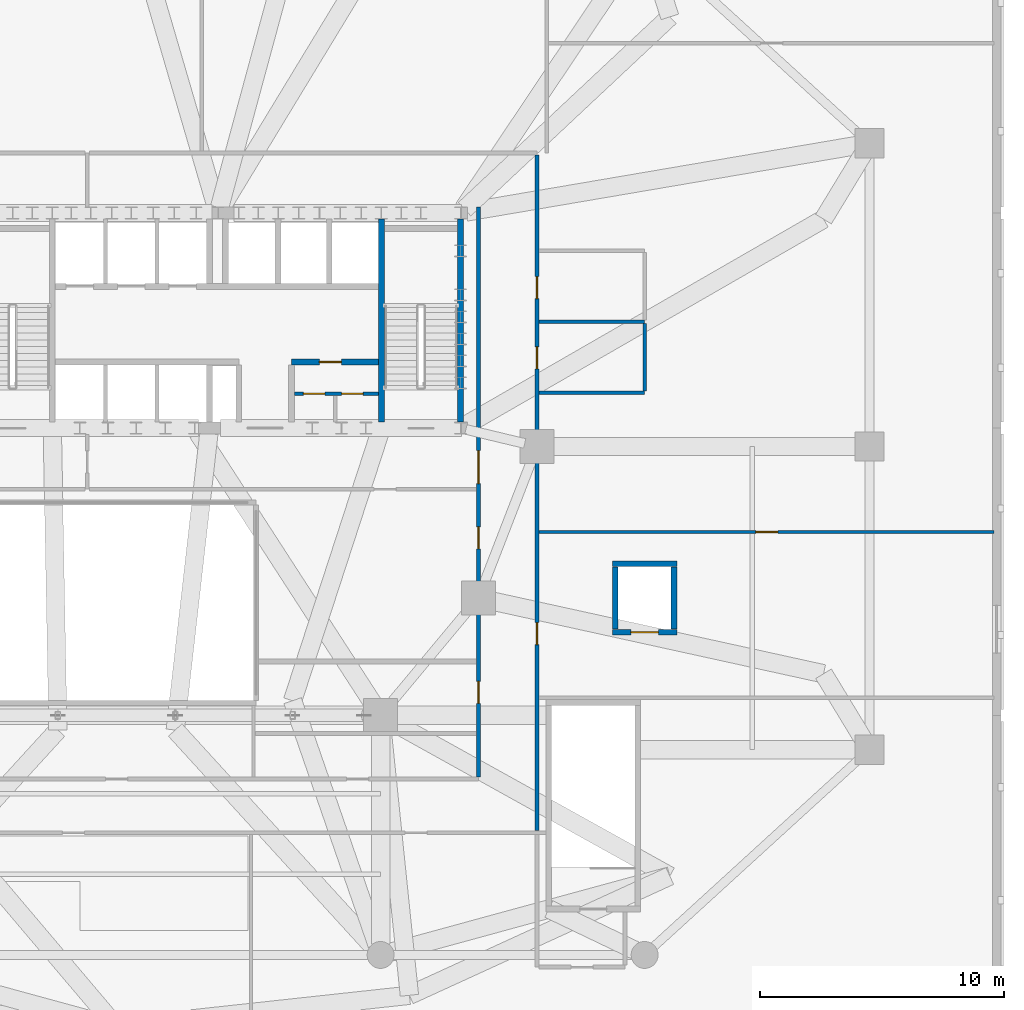
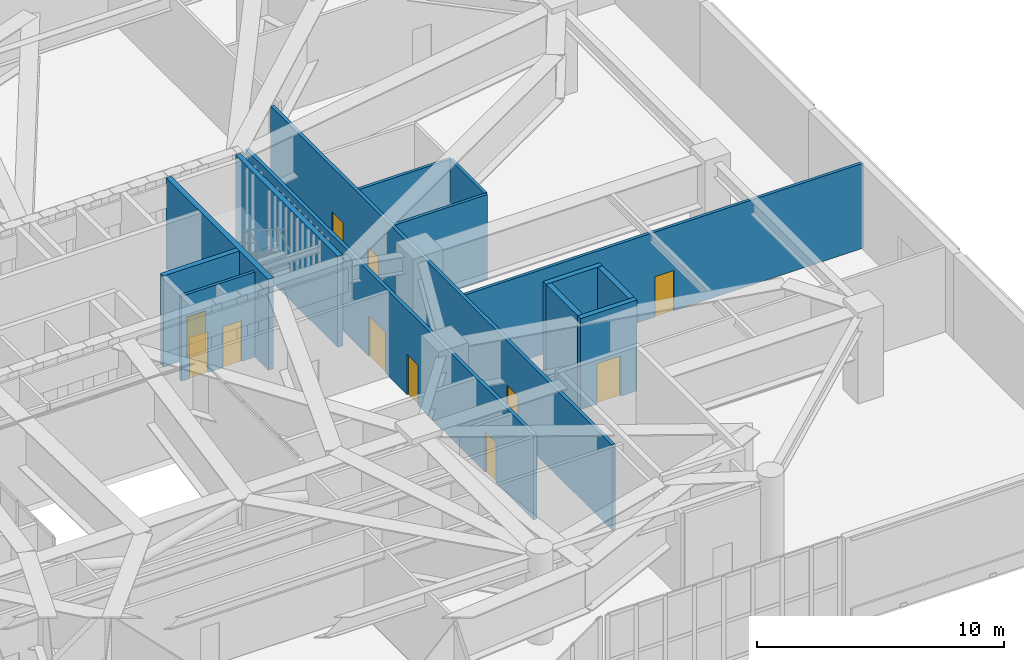
# One storey, part 17 of 26: 14 walls, 11 doors, 11 openings.
"""IFC4 building model written with IfcOpenShell, lengths in metres."""

from ifc_helpers import new_model, si_unit, direction, frame, frame_2d, origin, place, context, subcontext, project, spatial, rectangle, extrude, material, layer, layer_set, type_object, element, fill, save


model = new_model("IFC4")

# Units and contexts
model_context = context("Model", 3, precision=1e-05, world=origin(), true_north=direction((0.0, 1.0)))
body_context = subcontext(model_context, "Body", "Model", "MODEL_VIEW")
ifc_project = project(units=[si_unit("LENGTHUNIT", "METRE"), si_unit("AREAUNIT", "SQUARE_METRE"), si_unit("VOLUMEUNIT", "CUBIC_METRE"), si_unit("PLANEANGLEUNIT", "RADIAN"), si_unit("MASSUNIT", "GRAM", prefix="KILO")], contexts=[model_context])

# Site, building, storey
site_placement = place(None, origin())
site = spatial("IfcSite", under=ifc_project, at=site_placement, CompositionType="ELEMENT")
building_placement = place(site_placement, origin())
building = spatial("IfcBuilding", under=site, at=building_placement, Name="Haldorwick Loom Tower", CompositionType="ELEMENT")
storey_placement = place(building_placement, frame((0.0, 0.0, 19.5)))
storey = spatial("IfcBuildingStorey", under=building, at=storey_placement, Name="L04", CompositionType="ELEMENT", Elevation=19.5)

# Wall, openings, doors
ifc_material_1 = material(Name="Fire-Rated Type X Gypsum Stud Assembly EI 60")
ifc_layer_1 = layer(ifc_material_1, 0.159912109375, Name="Fire-Rated Type X Gypsum Stud Assembly EI 60")
ifc_layer_set_1 = layer_set([ifc_layer_1], Name="Fire-Rated Type X Gypsum Stud Assembly EI 60")
wall_type_1 = type_object("IfcWallType", Name="ARC-WL-FIRE160", PredefinedType="PARTITIONING", material=ifc_layer_set_1)
wall_1_placement = place(storey_placement, frame((53.199951171875, 10.282958984375, 0.0), z_axis=(0.0, 0.0, 1.0), x_axis=(0.0, 1.0, 0.0)))
wall_1 = element("IfcWall", 1, at=wall_1_placement, inside=storey, type_object=wall_type_1, Name="L04 Podium Partition L04-CE0", PredefinedType="PARTITIONING", context=body_context, shape_type="SweptSolid", body=[
    extrude(rectangle(XDim=27.634033203125, YDim=0.159912109375, at=frame_2d((13.81689453125, 0.0))), origin(), (0.0, 0.0, 1.0), 4.205078125),
])
opening_1_placement = place(wall_1_placement, frame((7.611572265625, 0.0, 0.0)))
opening_1 = element("IfcOpeningElement", 2, at=opening_1_placement, cuts=wall_1, Name="Opening D-FD60A", PredefinedType="OPENING", context=body_context, shape_type="SweptSolid", body=[
    extrude(rectangle(XDim=0.89990234375, YDim=2.0, at=frame_2d((0.449951171875, 1.0))), frame((0.0, 0.08984375, 0.0), z_axis=(0.0, -1.0, 0.0), x_axis=(1.0, 0.0, 0.0)), (0.0, 0.0, 1.0), 0.179931640625),
])
opening_2_placement = place(wall_1_placement, frame((18.893798828125, 0.0, 0.0)))
opening_2 = element("IfcOpeningElement", 3, at=opening_2_placement, cuts=wall_1, Name="Opening D-FD60A", PredefinedType="OPENING", context=body_context, shape_type="SweptSolid", body=[
    extrude(rectangle(XDim=0.89990234375, YDim=2.0, at=frame_2d((0.449951171875, 1.0))), frame((0.0, 0.08984375, 0.0), z_axis=(0.0, -1.0, 0.0), x_axis=(1.0, 0.0, 0.0)), (0.0, 0.0, 1.0), 0.179931640625),
])
opening_3_placement = place(wall_1_placement, frame((21.767578125, 0.0, 0.0)))
opening_3 = element("IfcOpeningElement", 4, at=opening_3_placement, cuts=wall_1, Name="Opening D-FD60A", PredefinedType="OPENING", context=body_context, shape_type="SweptSolid", body=[
    extrude(rectangle(XDim=0.89990234375, YDim=2.0, at=frame_2d((0.449951171875, 1.0))), frame((0.0, 0.08984375, 0.0), z_axis=(0.0, -1.0, 0.0), x_axis=(1.0, 0.0, 0.0)), (0.0, 0.0, 1.0), 0.179931640625),
])
ifc_material_2 = material(Name="Hollow Steel Fire Door Assembly", Category="steel")
door_type_1 = type_object("IfcDoorType", Name="ARC-DR-FD60-90", OperationType="NOTDEFINED", PredefinedType="DOOR", material=ifc_material_2)
door_1_placement = place(opening_1_placement, origin())
door_1 = element("IfcDoor", 5, at=door_1_placement, inside=storey, type_object=door_type_1, Name="L04 L04 South Clinic Corridor to Board Conference Room 11 Door", OperationType="SINGLE_SWING_RIGHT", OverallHeight=2.0, OverallWidth=0.89990234375, PredefinedType="DOOR", context=body_context, shape_type="SweptSolid", body=[
    extrude(rectangle(XDim=0.89990234375, YDim=2.0, at=frame_2d((0.449951171875, 1.0))), frame((0.0, 0.02490234375, 0.0), z_axis=(0.0, -1.0, 0.0), x_axis=(1.0, 0.0, 0.0)), (0.0, 0.0, 1.0), 0.050048828125),
])
fill(opening_1, door_1)
door_2_placement = place(opening_2_placement, origin())
door_2 = element("IfcDoor", 6, at=door_2_placement, inside=storey, type_object=door_type_1, Name="L04 L04 South Clinic Corridor to Public Washroom Door", OperationType="SINGLE_SWING_LEFT", OverallHeight=2.0, OverallWidth=0.89990234375, PredefinedType="DOOR", context=body_context, shape_type="SweptSolid", body=[
    extrude(rectangle(XDim=0.89990234375, YDim=2.0, at=frame_2d((0.449951171875, 1.0))), frame((0.0, 0.02490234375, 0.0), z_axis=(0.0, -1.0, 0.0), x_axis=(1.0, 0.0, 0.0)), (0.0, 0.0, 1.0), 0.050048828125),
])
fill(opening_2, door_2)
door_3_placement = place(opening_3_placement, origin())
door_3 = element("IfcDoor", 7, at=door_3_placement, inside=storey, type_object=door_type_1, Name="L04 L04 South Clinic Corridor to Accessible WC Door", OperationType="SINGLE_SWING_RIGHT", OverallHeight=2.0, OverallWidth=0.89990234375, PredefinedType="DOOR", context=body_context, shape_type="SweptSolid", body=[
    extrude(rectangle(XDim=0.89990234375, YDim=2.0, at=frame_2d((0.449951171875, 1.0))), frame((0.0, 0.02490234375, 0.0), z_axis=(0.0, -1.0, 0.0), x_axis=(1.0, 0.0, 0.0)), (0.0, 0.0, 1.0), 0.050048828125),
])
fill(opening_3, door_3)

wall_2_placement = place(storey_placement, frame((50.800048828125, 12.48291015625, 0.0), z_axis=(0.0, 0.0, 1.0), x_axis=(0.0, 1.0, 0.0)))
wall_2 = element("IfcWall", 8, at=wall_2_placement, inside=storey, type_object=wall_type_1, Name="L04 Podium Partition L04-CE1", PredefinedType="PARTITIONING", context=body_context, shape_type="SweptSolid", body=[
    extrude(rectangle(XDim=23.317138671875, YDim=0.159912109375, at=frame_2d((11.65869140625, 0.0))), origin(), (0.0, 0.0, 1.0), 4.205078125),
])
opening_4_placement = place(wall_2_placement, frame((11.99169921875, 0.0, 0.0)))
opening_4 = element("IfcOpeningElement", 9, at=opening_4_placement, cuts=wall_2, Name="Opening D-CR15", PredefinedType="OPENING", context=body_context, shape_type="SweptSolid", body=[
    extrude(rectangle(XDim=1.35009765625, YDim=2.0, at=frame_2d((0.675048828125, 1.0))), frame((0.0, 0.08984375, 0.0), z_axis=(0.0, -1.0, 0.0), x_axis=(1.0, 0.0, 0.0)), (0.0, 0.0, 1.0), 0.179931640625),
])
opening_5_placement = place(wall_2_placement, frame((9.326904296875, 0.0, 0.0)))
opening_5 = element("IfcOpeningElement", 10, at=opening_5_placement, cuts=wall_2, Name="Opening D-FD60A", PredefinedType="OPENING", context=body_context, shape_type="SweptSolid", body=[
    extrude(rectangle(XDim=0.89990234375, YDim=2.0, at=frame_2d((0.449951171875, 1.0))), frame((0.0, 0.08984375, 0.0), z_axis=(0.0, -1.0, 0.0), x_axis=(1.0, 0.0, 0.0)), (0.0, 0.0, 1.0), 0.179931640625),
])
opening_6_placement = place(wall_2_placement, frame((3.0078125, 0.0, 0.0)))
opening_6 = element("IfcOpeningElement", 11, at=opening_6_placement, cuts=wall_2, Name="Opening D-FD60A", PredefinedType="OPENING", context=body_context, shape_type="SweptSolid", body=[
    extrude(rectangle(XDim=0.89990234375, YDim=2.0, at=frame_2d((0.449951171875, 1.0))), frame((0.0, 0.08984375, 0.0), z_axis=(0.0, -1.0, 0.0), x_axis=(1.0, 0.0, 0.0)), (0.0, 0.0, 1.0), 0.179931640625),
])
ifc_material_3 = material(Name="Thermally Broken Anodized Aluminium and Tempered Glass", Category="aluminium")
door_type_2 = type_object("IfcDoorType", Name="ARC-DR-COR150", OperationType="NOTDEFINED", PredefinedType="DOOR", material=ifc_material_3)
door_4_placement = place(opening_4_placement, origin())
door_4 = element("IfcDoor", 12, at=door_4_placement, inside=storey, type_object=door_type_2, Name="L04 L04 East Core Corridor to L04 South Clinic Corridor Door", OperationType="DOUBLE_DOOR_SINGLE_SWING", OverallHeight=2.0, OverallWidth=1.35009765625, PredefinedType="DOOR", context=body_context, shape_type="SweptSolid", body=[
    extrude(rectangle(XDim=1.35009765625, YDim=2.0, at=frame_2d((0.675048828125, 1.0))), frame((0.0, 0.02490234375, 0.0), z_axis=(0.0, -1.0, 0.0), x_axis=(1.0, 0.0, 0.0)), (0.0, 0.0, 1.0), 0.050048828125),
])
fill(opening_4, door_4)
door_5_placement = place(opening_5_placement, origin())
door_5 = element("IfcDoor", 13, at=door_5_placement, inside=storey, type_object=door_type_1, Name="L04 Senior Day Health Hall 13 to L04 South Clinic Corridor Door", OperationType="SINGLE_SWING_RIGHT", OverallHeight=2.0, OverallWidth=0.89990234375, PredefinedType="DOOR", context=body_context, shape_type="SweptSolid", body=[
    extrude(rectangle(XDim=0.89990234375, YDim=2.0, at=frame_2d((0.449951171875, 1.0))), frame((0.0, 0.02490234375, 0.0), z_axis=(0.0, -1.0, 0.0), x_axis=(1.0, 0.0, 0.0)), (0.0, 0.0, 1.0), 0.050048828125),
])
fill(opening_5, door_5)
door_6_placement = place(opening_6_placement, origin())
door_6 = element("IfcDoor", 14, at=door_6_placement, inside=storey, type_object=door_type_1, Name="L04 Transfer Girder Mechanical Plant 10 to L04 South Clinic Corridor Doo", OperationType="SINGLE_SWING_RIGHT", OverallHeight=2.0, OverallWidth=0.89990234375, PredefinedType="DOOR", context=body_context, shape_type="SweptSolid", body=[
    extrude(rectangle(XDim=0.89990234375, YDim=2.0, at=frame_2d((0.449951171875, 1.0))), frame((0.0, 0.02490234375, 0.0), z_axis=(0.0, -1.0, 0.0), x_axis=(1.0, 0.0, 0.0)), (0.0, 0.0, 1.0), 0.050048828125),
])
fill(opening_6, door_6)

ifc_layer_2 = layer(ifc_material_1, 0.139892578125, Name="Fire-Rated Type X Gypsum Stud Assembly EI 60")
ifc_layer_set_2 = layer_set([ifc_layer_2], Name="Fire-Rated Type X Gypsum Stud Assembly EI 60")
wall_type_2 = type_object("IfcWallType", Name="ARC-WL-PART140", PredefinedType="PARTITIONING", material=ifc_layer_set_2)
wall_3_placement = place(storey_placement, frame((43.27294921875, 28.159912109375, 0.0), z_axis=(0.0, 0.0, 1.0), x_axis=(1.0, 0.0, 0.0)))
wall_3 = element("IfcWall", 15, at=wall_3_placement, inside=storey, type_object=wall_type_2, Name="L04 Telecom Partition", PredefinedType="PARTITIONING", context=body_context, shape_type="SweptSolid", body=[
    extrude(rectangle(XDim=3.43408203125, YDim=0.139892578125, at=frame_2d((1.717041015625, 0.0))), origin(), (0.0, 0.0, 1.0), 4.205078125),
])
opening_7_placement = place(wall_3_placement, frame((0.366943359375, 0.0, 0.0)))
opening_7 = element("IfcOpeningElement", 16, at=opening_7_placement, cuts=wall_3, Name="Opening D-BT88", PredefinedType="OPENING", context=body_context, shape_type="SweptSolid", body=[
    extrude(rectangle(XDim=0.8798828125, YDim=2.02001953125, at=frame_2d((0.43994140625, 1.010009765625))), frame((0.0, 0.079833984375, 0.0), z_axis=(0.0, -1.0, 0.0), x_axis=(1.0, 0.0, 0.0)), (0.0, 0.0, 1.0), 0.159912109375),
])
opening_8_placement = place(wall_3_placement, frame((1.93701171875, 0.0, 0.0)))
opening_8 = element("IfcOpeningElement", 17, at=opening_8_placement, cuts=wall_3, Name="Opening D-BT88", PredefinedType="OPENING", context=body_context, shape_type="SweptSolid", body=[
    extrude(rectangle(XDim=0.8798828125, YDim=2.02001953125, at=frame_2d((0.43994140625, 1.010009765625))), frame((0.0, 0.079833984375, 0.0), z_axis=(0.0, -1.0, 0.0), x_axis=(1.0, 0.0, 0.0)), (0.0, 0.0, 1.0), 0.159912109375),
])
ifc_material_4 = material(Name="Solid Core Birch Architectural Door")
door_type_3 = type_object("IfcDoorType", Name="ARC-DR-BATH88", OperationType="NOTDEFINED", PredefinedType="DOOR", material=ifc_material_4)
door_7_placement = place(opening_7_placement, origin())
door_7 = element("IfcDoor", 18, at=door_7_placement, inside=storey, type_object=door_type_3, Name="L04 Telecom Room Door", OperationType="SINGLE_SWING_LEFT", OverallHeight=2.02001953125, OverallWidth=0.8798828125, PredefinedType="DOOR", context=body_context, shape_type="SweptSolid", body=[
    extrude(rectangle(XDim=0.8798828125, YDim=2.02001953125, at=frame_2d((0.43994140625, 1.010009765625))), frame((0.0, 0.02490234375, 0.0), z_axis=(0.0, -1.0, 0.0), x_axis=(1.0, 0.0, 0.0)), (0.0, 0.0, 1.0), 0.050048828125),
])
fill(opening_7, door_7)
door_8_placement = place(opening_8_placement, origin())
door_8 = element("IfcDoor", 19, at=door_8_placement, inside=storey, type_object=door_type_3, Name="L04 Metering Closet Door", OperationType="SINGLE_SWING_RIGHT", OverallHeight=2.02001953125, OverallWidth=0.8798828125, PredefinedType="DOOR", context=body_context, shape_type="SweptSolid", body=[
    extrude(rectangle(XDim=0.8798828125, YDim=2.02001953125, at=frame_2d((0.43994140625, 1.010009765625))), frame((0.0, 0.02490234375, 0.0), z_axis=(0.0, -1.0, 0.0), x_axis=(1.0, 0.0, 0.0)), (0.0, 0.0, 1.0), 0.050048828125),
])
fill(opening_8, door_8)

# Walls
for number, where, z_axis, x_axis, name in (
    (20, (53.282958984375, 28.199951171875, 0.0), (0.0, 0.0, 1.0), (1.0, 0.0, 0.0), "L04 Podium Partition L04-WC1"),
    (21, (53.282958984375, 31.10009765625, 0.0), (0.0, 0.0, 1.0), (1.0, 0.0, 0.0), "L04 Podium Partition L04-WC2"),
):
    element("IfcWall", number, at=place(storey_placement, frame(where, z_axis=z_axis, x_axis=x_axis)), inside=storey, type_object=wall_type_2, Name=name, PredefinedType="PARTITIONING", context=body_context, shape_type="SweptSolid", body=[
        extrude(rectangle(XDim=4.317138671875, YDim=0.139892578125, at=frame_2d((2.15869140625, 0.0))), origin(), (0.0, 0.0, 1.0), 4.205078125),
    ])
wall_4_placement = place(storey_placement, frame((57.60009765625, 28.27294921875, 0.0), z_axis=(0.0, 0.0, 1.0), x_axis=(0.0, 1.0, 0.0)))
element("IfcWall", 22, at=wall_4_placement, inside=storey, type_object=wall_type_2, Name="L04 Podium Partition L04-WC4", PredefinedType="PARTITIONING", context=body_context, shape_type="SweptSolid", body=[
    extrude(rectangle(XDim=2.754150390625, YDim=0.139892578125, at=frame_2d((1.376953125, 0.0))), origin(), (0.0, 0.0, 1.0), 4.205078125),
])

# Wall, opening, door
wall_5_placement = place(storey_placement, frame((53.282958984375, 22.5, 0.0), z_axis=(0.0, 0.0, 1.0), x_axis=(1.0, 0.0, 0.0)))
wall_5 = element("IfcWall", 23, at=wall_5_placement, inside=storey, type_object=wall_type_2, Name="L04 Podium Partition L04-PE-1", PredefinedType="PARTITIONING", context=body_context, shape_type="SweptSolid", body=[
    extrude(rectangle(XDim=18.616943359375, YDim=0.139892578125, at=frame_2d((9.30859375, 0.0))), origin(), (0.0, 0.0, 1.0), 4.205078125),
])
opening_9_placement = place(wall_5_placement, frame((8.868408203125, 0.0, 0.0)))
opening_9 = element("IfcOpeningElement", 24, at=opening_9_placement, cuts=wall_5, Name="Opening D-FD60A", PredefinedType="OPENING", context=body_context, shape_type="SweptSolid", body=[
    extrude(rectangle(XDim=0.89990234375, YDim=2.0, at=frame_2d((0.449951171875, 1.0))), frame((0.0, 0.079833984375, 0.0), z_axis=(0.0, -1.0, 0.0), x_axis=(1.0, 0.0, 0.0)), (0.0, 0.0, 1.0), 0.159912109375),
])
door_9_placement = place(opening_9_placement, frame((0.89990234375, 0.0, 0.0), z_axis=(0.0, 0.0, 1.0), x_axis=(-1.0, 0.0, 0.0)))
door_9 = element("IfcDoor", 25, at=door_9_placement, inside=storey, type_object=door_type_1, Name="L04 Medical Archive Store 20 to Board Conference Room 11 Door", OperationType="SINGLE_SWING_LEFT", OverallHeight=2.0, OverallWidth=0.89990234375, PredefinedType="DOOR", context=body_context, shape_type="SweptSolid", body=[
    extrude(rectangle(XDim=0.89990234375, YDim=2.0, at=frame_2d((0.449951171875, 1.0))), frame((0.0, 0.02490234375, 0.0), z_axis=(0.0, -1.0, 0.0), x_axis=(1.0, 0.0, 0.0)), (0.0, 0.0, 1.0), 0.050048828125),
])
fill(opening_9, door_9)

# Walls
ifc_material_5 = material(Name="Concrete C50 (50 MPa)", Category="concrete")
ifc_layer_3 = layer(ifc_material_5, 0.239990234375, Name="Concrete C50 (50 MPa)", Category="concrete")
ifc_layer_set_3 = layer_set([ifc_layer_3], Name="Concrete C50 (50 MPa)")
wall_type_3 = type_object("IfcWallType", Name="STR-WL-SHAFT240", PredefinedType="SHEAR", material=ifc_layer_set_3)
for number, where, z_axis, x_axis, name in (
    (26, (50.070068359375, 27.0029296875, 0.0), (0.0, 0.0, 1.0), (0.0, 1.0, 0.0), "L04 Core Shear Wall E"),
    (27, (46.830078125, 27.0029296875, 0.0), (0.0, 0.0, 1.0), (0.0, 1.0, 0.0), "L04 Core Shear Wall 4"),
):
    element("IfcWall", number, at=place(storey_placement, frame(where, z_axis=z_axis, x_axis=x_axis)), inside=storey, type_object=wall_type_3, Name=name, PredefinedType="SHEAR", context=body_context, shape_type="SweptSolid", body=[
        extrude(rectangle(XDim=8.294189453125, YDim=0.239990234375, at=frame_2d((4.14697265625, 0.0))), origin(), (0.0, 0.0, 1.0), 4.5),
    ])

# Wall, opening, door
wall_6_placement = place(storey_placement, frame((43.14990234375, 29.449951171875, 0.0), z_axis=(0.0, 0.0, 1.0), x_axis=(1.0, 0.0, 0.0)))
wall_6 = element("IfcWall", 28, at=wall_6_placement, inside=storey, type_object=wall_type_3, Name="L04 Core Shear Wall LS2", PredefinedType="SHEAR", context=body_context, shape_type="SweptSolid", body=[
    extrude(rectangle(XDim=3.55712890625, YDim=0.239990234375, at=frame_2d((1.778564453125, 0.0))), origin(), (0.0, 0.0, 1.0), 4.5),
])
opening_10_placement = place(wall_6_placement, frame((1.14990234375, 0.0, 0.0)))
opening_10 = element("IfcOpeningElement", 29, at=opening_10_placement, cuts=wall_6, Name="Opening D-FD60A", PredefinedType="OPENING", context=body_context, shape_type="SweptSolid", body=[
    extrude(rectangle(XDim=0.89990234375, YDim=2.0, at=frame_2d((0.449951171875, 1.0))), frame((0.0, 0.1298828125, 0.0), z_axis=(0.0, -1.0, 0.0), x_axis=(1.0, 0.0, 0.0)), (0.0, 0.0, 1.0), 0.260009765625),
])
door_10_placement = place(opening_10_placement, origin())
door_10 = element("IfcDoor", 30, at=door_10_placement, inside=storey, type_object=door_type_1, Name="L04 Janitor Closet Door", OperationType="SINGLE_SWING_LEFT", OverallHeight=2.0, OverallWidth=0.89990234375, PredefinedType="DOOR", context=body_context, shape_type="SweptSolid", body=[
    extrude(rectangle(XDim=0.89990234375, YDim=2.0, at=frame_2d((0.449951171875, 1.0))), frame((0.0, 0.02490234375, 0.0), z_axis=(0.0, -1.0, 0.0), x_axis=(1.0, 0.0, 0.0)), (0.0, 0.0, 1.0), 0.050048828125),
])
fill(opening_10, door_10)

wall_7_placement = place(storey_placement, frame((56.280029296875, 18.39990234375, 0.0), z_axis=(0.0, 0.0, 1.0), x_axis=(1.0, 0.0, 0.0)))
wall_7 = element("IfcWall", 31, at=wall_7_placement, inside=storey, type_object=wall_type_3, Name="L04 Podium Lift Shaft LF-P2 Wall", PredefinedType="SHEAR", context=body_context, shape_type="SweptSolid", body=[
    extrude(rectangle(XDim=2.639892578125, YDim=0.239990234375, at=frame_2d((1.31982421875, 0.0))), origin(), (0.0, 0.0, 1.0), 4.5),
])
opening_11_placement = place(wall_7_placement, frame((0.760009765625, 0.0, 0.0)))
opening_11 = element("IfcOpeningElement", 32, at=opening_11_placement, cuts=wall_7, Name="Opening LD-P2", PredefinedType="OPENING", context=body_context, shape_type="SweptSolid", body=[
    extrude(rectangle(XDim=1.1201171875, YDim=2.0, at=frame_2d((0.56005859375, 1.0))), frame((0.0, 0.1298828125, 0.0), z_axis=(0.0, -1.0, 0.0), x_axis=(1.0, 0.0, 0.0)), (0.0, 0.0, 1.0), 0.260009765625),
])
door_type_4 = type_object("IfcDoorType", Name="ARC-DR-LD-PAX", OperationType="NOTDEFINED", PredefinedType="USERDEFINED", material=ifc_material_2)
door_11_placement = place(opening_11_placement, origin())
door_11 = element("IfcDoor", 33, at=door_11_placement, inside=storey, type_object=door_type_4, Name="L04 Lift LF-P2 Sliding Landing Door", ObjectType="LANDING DOOR", OperationType="DOUBLE_DOOR_SLIDING", OverallHeight=2.0, OverallWidth=1.1201171875, PredefinedType="USERDEFINED", context=body_context, shape_type="SweptSolid", body=[
    extrude(rectangle(XDim=1.1201171875, YDim=2.0, at=frame_2d((0.56005859375, 1.0))), frame((0.0, 0.02490234375, 0.0), z_axis=(0.0, -1.0, 0.0), x_axis=(1.0, 0.0, 0.0)), (0.0, 0.0, 1.0), 0.050048828125),
])
fill(opening_11, door_11)

# Walls
wall_8_placement = place(storey_placement, frame((58.919921875, 21.199951171875, 0.0), z_axis=(0.0, 0.0, 1.0), x_axis=(-1.0, 0.0, 0.0)))
element("IfcWall", 34, at=wall_8_placement, inside=storey, type_object=wall_type_3, Name="L04 Podium Lift Shaft LF-P2 Wall", PredefinedType="SHEAR", context=body_context, shape_type="SweptSolid", body=[
    extrude(rectangle(XDim=2.639892578125, YDim=0.239990234375, at=frame_2d((1.31982421875, 0.0))), origin(), (0.0, 0.0, 1.0), 4.5),
])
for number, where, z_axis, x_axis, name in (
    (35, (56.39990234375, 18.52294921875, 0.0), (0.0, 0.0, 1.0), (0.0, 1.0, 0.0), "L04 Podium Lift Shaft LF-P2 Wall"),
    (36, (58.800048828125, 18.52294921875, 0.0), (0.0, 0.0, 1.0), (0.0, 1.0, 0.0), "L04 Podium Lift Shaft LF-P2 Wall"),
):
    element("IfcWall", number, at=place(storey_placement, frame(where, z_axis=z_axis, x_axis=x_axis)), inside=storey, type_object=wall_type_3, Name=name, PredefinedType="SHEAR", context=body_context, shape_type="SweptSolid", body=[
        extrude(rectangle(XDim=2.553955078125, YDim=0.239990234375, at=frame_2d((1.27685546875, 0.0))), origin(), (0.0, 0.0, 1.0), 4.5),
    ])

save(model, "model.ifc")
